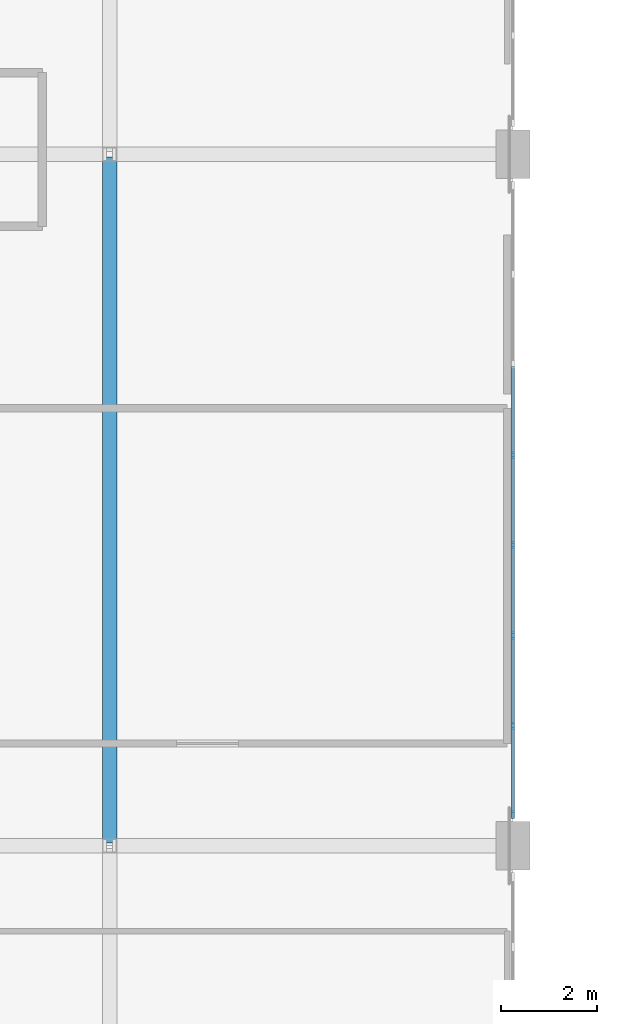
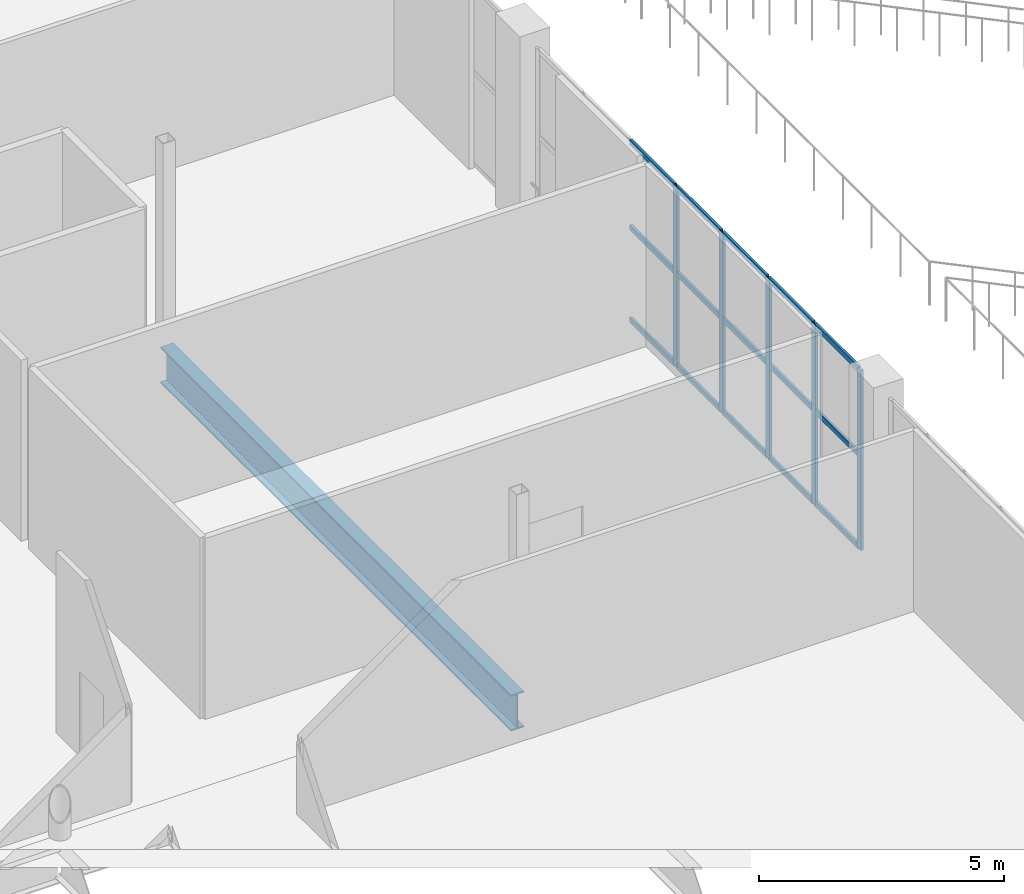
# One storey, part 20 of 104: 20 members, 1 beam, 1 element without a shape of its own.
"""IFC4 building model written with IfcOpenShell, lengths in metres."""

from ifc_helpers import new_model, si_unit, direction, frame, origin, origin_2d, place, context, subcontext, project, spatial, rectangle, i_section, extrude, material, material_profile, profile_set, type_object, element, aggregate, save


model = new_model("IFC4")

# Units and contexts
model_context = context("Model", 3, precision=1e-05, world=origin(), true_north=direction((0.0, 1.0)))
body_context = subcontext(model_context, "Body", "Model", "MODEL_VIEW")
ifc_project = project(units=[si_unit("LENGTHUNIT", "METRE"), si_unit("AREAUNIT", "SQUARE_METRE"), si_unit("VOLUMEUNIT", "CUBIC_METRE"), si_unit("PLANEANGLEUNIT", "RADIAN"), si_unit("MASSUNIT", "GRAM", prefix="KILO")], contexts=[model_context])

# Site, building, storey
site_placement = place(None, origin())
site = spatial("IfcSite", under=ifc_project, at=site_placement, CompositionType="ELEMENT")
building_placement = place(site_placement, origin())
building = spatial("IfcBuilding", under=site, at=building_placement, Name="Koshinbarg Plaza Stadium", CompositionType="ELEMENT")
storey_placement = place(building_placement, frame((0.0, 0.0, 19.800048828125)))
storey = spatial("IfcBuildingStorey", under=building, at=storey_placement, Name="L04", CompositionType="ELEMENT", Elevation=19.800048828125)

# Beam
ifc_material_1 = material(Name="Steel S355", Category="steel")
ifc_material_profile_1 = material_profile(ifc_material_1, i_section(OverallWidth=0.300048828125, OverallDepth=0.89990234375, WebThickness=0.0185546875, FlangeThickness=0.034912109375, at=origin_2d()), Name="HEB 900")
ifc_profile_set_1 = profile_set([ifc_material_profile_1], Name="Steel S355")
beam_type = type_object("IfcBeamType", Name="BM-SGIR-05", PredefinedType="USERDEFINED", material=ifc_profile_set_1)
beam_placement = place(storey_placement, frame((46.199951171875, 54.360107421875, -0.75), z_axis=(0.0, 1.0, 0.0), x_axis=(-1.0, 0.0, 0.0)))
element("IfcBeam", 1, at=beam_placement, inside=storey, type_object=beam_type, Name="L04 Y girder 7/H-J", ObjectType="GIRDER", PredefinedType="USERDEFINED", context=body_context, shape_type="SweptSolid", body=[
    extrude(i_section(OverallWidth=0.300048828125, OverallDepth=0.89990234375, WebThickness=0.0185546875, FlangeThickness=0.034912109375, at=origin_2d()), origin(), (0.0, 0.0, 1.0), 14.27978515625),
])

# Curtain wall, members
ifc_material_2 = material(Name="Thermally broken anodised aluminium and low-E double glazing", Category="aluminium")
curtain_wall_type = type_object("IfcCurtainWallType", Name="CW-SYS-06", PredefinedType="NOTDEFINED", material=ifc_material_2)
curtain_wall_placement = place(storey_placement, origin())
curtain_wall = element("IfcCurtainWall", 2, at=curtain_wall_placement, inside=storey, type_object=curtain_wall_type, Name="L04 unitised curtain wall CW-L04-117", PredefinedType="NOTDEFINED")
ifc_material_3 = material(Name="Anodised aluminium mullion", Category="aluminium")
ifc_material_profile_2 = material_profile(ifc_material_3, rectangle(XDim=0.06005859375, YDim=0.159912109375, at=origin_2d()), Name="ALU 60x160")
ifc_profile_set_2 = profile_set([ifc_material_profile_2], Name="Anodised aluminium mullion")
member_type_1 = type_object("IfcMemberType", Name="CW-MUL-02", PredefinedType="MULLION", material=ifc_profile_set_2)
member_1_placement = place(storey_placement, frame((54.60009765625, 62.43994140625, 0.0), z_axis=(0.0, 0.0, 1.0), x_axis=(1.0, 0.0, 0.0)))
member_1 = element("IfcMember", 3, at=member_1_placement, type_object=member_type_1, Name="CW06 mullion 4", PredefinedType="MULLION", context=body_context, shape_type="SweptSolid", body=[
    extrude(rectangle(XDim=0.06005859375, YDim=0.159912109375, at=origin_2d()), origin(), (0.0, 0.0, 1.0), 4.47998046875),
])
member_2_placement = place(storey_placement, frame((54.60009765625, 60.56005859375, 0.0), z_axis=(0.0, 0.0, 1.0), x_axis=(1.0, 0.0, 0.0)))
member_2 = element("IfcMember", 4, at=member_2_placement, type_object=member_type_1, Name="CW06 mullion 5", PredefinedType="MULLION", context=body_context, shape_type="SweptSolid", body=[
    extrude(rectangle(XDim=0.06005859375, YDim=0.159912109375, at=origin_2d()), origin(), (0.0, 0.0, 1.0), 4.47998046875),
])
member_3_placement = place(storey_placement, frame((54.60009765625, 58.679931640625, 0.0), z_axis=(0.0, 0.0, 1.0), x_axis=(1.0, 0.0, 0.0)))
member_3 = element("IfcMember", 5, at=member_3_placement, type_object=member_type_1, Name="CW06 mullion 6", PredefinedType="MULLION", context=body_context, shape_type="SweptSolid", body=[
    extrude(rectangle(XDim=0.06005859375, YDim=0.159912109375, at=origin_2d()), origin(), (0.0, 0.0, 1.0), 4.47998046875),
])
member_4_placement = place(storey_placement, frame((54.60009765625, 56.800048828125, 0.0), z_axis=(0.0, 0.0, 1.0), x_axis=(1.0, 0.0, 0.0)))
member_4 = element("IfcMember", 6, at=member_4_placement, type_object=member_type_1, Name="CW06 mullion 7", PredefinedType="MULLION", context=body_context, shape_type="SweptSolid", body=[
    extrude(rectangle(XDim=0.06005859375, YDim=0.159912109375, at=origin_2d()), origin(), (0.0, 0.0, 1.0), 4.47998046875),
])
member_5_placement = place(storey_placement, frame((54.60009765625, 54.949951171875, 0.0), z_axis=(0.0, 0.0, 1.0), x_axis=(1.0, 0.0, 0.0)))
member_5 = element("IfcMember", 7, at=member_5_placement, type_object=member_type_1, Name="CW06 mullion 8", PredefinedType="MULLION", context=body_context, shape_type="SweptSolid", body=[
    extrude(rectangle(XDim=0.06005859375, YDim=0.159912109375, at=origin_2d()), origin(), (0.0, 0.0, 1.0), 4.47998046875),
])
ifc_material_4 = material(Name="Anodised aluminium transom", Category="aluminium")
ifc_material_profile_3 = material_profile(ifc_material_4, rectangle(XDim=0.06005859375, YDim=0.1298828125, at=origin_2d()), Name="ALU 60x130")
ifc_profile_set_3 = profile_set([ifc_material_profile_3], Name="Anodised aluminium transom")
member_type_2 = type_object("IfcMemberType", Name="CW-TRN-02", PredefinedType="USERDEFINED", material=ifc_profile_set_3)
member_6_placement = place(storey_placement, frame((54.60009765625, 64.2900390625, 0.030029296875), z_axis=(0.0, -1.0, 0.0), x_axis=(1.0, 0.0, 0.0)))
member_6 = element("IfcMember", 8, at=member_6_placement, type_object=member_type_2, Name="CW06 transom 3.1", ObjectType="TRANSOM", PredefinedType="USERDEFINED", context=body_context, shape_type="SweptSolid", body=[
    extrude(rectangle(XDim=0.06005859375, YDim=0.1298828125, at=origin_2d()), origin(), (0.0, 0.0, 1.0), 1.820068359375),
])
member_7_placement = place(storey_placement, frame((54.60009765625, 64.2900390625, 2.32958984375), z_axis=(0.0, -1.0, 0.0), x_axis=(1.0, 0.0, 0.0)))
member_7 = element("IfcMember", 9, at=member_7_placement, type_object=member_type_2, Name="CW06 transom 3.2", ObjectType="TRANSOM", PredefinedType="USERDEFINED", context=body_context, shape_type="SweptSolid", body=[
    extrude(rectangle(XDim=0.06005859375, YDim=0.1298828125, at=origin_2d()), origin(), (0.0, 0.0, 1.0), 1.820068359375),
])
member_8_placement = place(storey_placement, frame((54.60009765625, 64.2900390625, 4.449951171875), z_axis=(0.0, -1.0, 0.0), x_axis=(1.0, 0.0, 0.0)))
member_8 = element("IfcMember", 10, at=member_8_placement, type_object=member_type_2, Name="CW06 transom 3.3", ObjectType="TRANSOM", PredefinedType="USERDEFINED", context=body_context, shape_type="SweptSolid", body=[
    extrude(rectangle(XDim=0.06005859375, YDim=0.1298828125, at=origin_2d()), origin(), (0.0, 0.0, 1.0), 1.820068359375),
])
member_9_placement = place(storey_placement, frame((54.60009765625, 62.409912109375, 0.030029296875), z_axis=(0.0, -1.0, 0.0), x_axis=(1.0, 0.0, 0.0)))
member_9 = element("IfcMember", 11, at=member_9_placement, type_object=member_type_2, Name="CW06 transom 4.1", ObjectType="TRANSOM", PredefinedType="USERDEFINED", context=body_context, shape_type="SweptSolid", body=[
    extrude(rectangle(XDim=0.06005859375, YDim=0.1298828125, at=origin_2d()), origin(), (0.0, 0.0, 1.0), 1.81982421875),
])
member_10_placement = place(storey_placement, frame((54.60009765625, 62.409912109375, 2.32958984375), z_axis=(0.0, -1.0, 0.0), x_axis=(1.0, 0.0, 0.0)))
member_10 = element("IfcMember", 12, at=member_10_placement, type_object=member_type_2, Name="CW06 transom 4.2", ObjectType="TRANSOM", PredefinedType="USERDEFINED", context=body_context, shape_type="SweptSolid", body=[
    extrude(rectangle(XDim=0.06005859375, YDim=0.1298828125, at=origin_2d()), origin(), (0.0, 0.0, 1.0), 1.81982421875),
])
member_11_placement = place(storey_placement, frame((54.60009765625, 62.409912109375, 4.449951171875), z_axis=(0.0, -1.0, 0.0), x_axis=(1.0, 0.0, 0.0)))
member_11 = element("IfcMember", 13, at=member_11_placement, type_object=member_type_2, Name="CW06 transom 4.3", ObjectType="TRANSOM", PredefinedType="USERDEFINED", context=body_context, shape_type="SweptSolid", body=[
    extrude(rectangle(XDim=0.06005859375, YDim=0.1298828125, at=origin_2d()), origin(), (0.0, 0.0, 1.0), 1.81982421875),
])
member_12_placement = place(storey_placement, frame((54.60009765625, 60.530029296875, 0.030029296875), z_axis=(0.0, -1.0, 0.0), x_axis=(1.0, 0.0, 0.0)))
member_12 = element("IfcMember", 14, at=member_12_placement, type_object=member_type_2, Name="CW06 transom 5.1", ObjectType="TRANSOM", PredefinedType="USERDEFINED", context=body_context, shape_type="SweptSolid", body=[
    extrude(rectangle(XDim=0.06005859375, YDim=0.1298828125, at=origin_2d()), origin(), (0.0, 0.0, 1.0), 1.820068359375),
])
member_13_placement = place(storey_placement, frame((54.60009765625, 60.530029296875, 2.32958984375), z_axis=(0.0, -1.0, 0.0), x_axis=(1.0, 0.0, 0.0)))
member_13 = element("IfcMember", 15, at=member_13_placement, type_object=member_type_2, Name="CW06 transom 5.2", ObjectType="TRANSOM", PredefinedType="USERDEFINED", context=body_context, shape_type="SweptSolid", body=[
    extrude(rectangle(XDim=0.06005859375, YDim=0.1298828125, at=origin_2d()), origin(), (0.0, 0.0, 1.0), 1.820068359375),
])
member_14_placement = place(storey_placement, frame((54.60009765625, 60.530029296875, 4.449951171875), z_axis=(0.0, -1.0, 0.0), x_axis=(1.0, 0.0, 0.0)))
member_14 = element("IfcMember", 16, at=member_14_placement, type_object=member_type_2, Name="CW06 transom 5.3", ObjectType="TRANSOM", PredefinedType="USERDEFINED", context=body_context, shape_type="SweptSolid", body=[
    extrude(rectangle(XDim=0.06005859375, YDim=0.1298828125, at=origin_2d()), origin(), (0.0, 0.0, 1.0), 1.820068359375),
])
member_15_placement = place(storey_placement, frame((54.60009765625, 58.64990234375, 0.030029296875), z_axis=(0.0, -1.0, 0.0), x_axis=(1.0, 0.0, 0.0)))
member_15 = element("IfcMember", 17, at=member_15_placement, type_object=member_type_2, Name="CW06 transom 6.1", ObjectType="TRANSOM", PredefinedType="USERDEFINED", context=body_context, shape_type="SweptSolid", body=[
    extrude(rectangle(XDim=0.06005859375, YDim=0.1298828125, at=origin_2d()), origin(), (0.0, 0.0, 1.0), 1.81982421875),
])
member_16_placement = place(storey_placement, frame((54.60009765625, 58.64990234375, 2.32958984375), z_axis=(0.0, -1.0, 0.0), x_axis=(1.0, 0.0, 0.0)))
member_16 = element("IfcMember", 18, at=member_16_placement, type_object=member_type_2, Name="CW06 transom 6.2", ObjectType="TRANSOM", PredefinedType="USERDEFINED", context=body_context, shape_type="SweptSolid", body=[
    extrude(rectangle(XDim=0.06005859375, YDim=0.1298828125, at=origin_2d()), origin(), (0.0, 0.0, 1.0), 1.81982421875),
])
member_17_placement = place(storey_placement, frame((54.60009765625, 58.64990234375, 4.449951171875), z_axis=(0.0, -1.0, 0.0), x_axis=(1.0, 0.0, 0.0)))
member_17 = element("IfcMember", 19, at=member_17_placement, type_object=member_type_2, Name="CW06 transom 6.3", ObjectType="TRANSOM", PredefinedType="USERDEFINED", context=body_context, shape_type="SweptSolid", body=[
    extrude(rectangle(XDim=0.06005859375, YDim=0.1298828125, at=origin_2d()), origin(), (0.0, 0.0, 1.0), 1.81982421875),
])
member_18_placement = place(storey_placement, frame((54.60009765625, 56.77001953125, 0.030029296875), z_axis=(0.0, -1.0, 0.0), x_axis=(1.0, 0.0, 0.0)))
member_18 = element("IfcMember", 20, at=member_18_placement, type_object=member_type_2, Name="CW06 transom 7.1", ObjectType="TRANSOM", PredefinedType="USERDEFINED", context=body_context, shape_type="SweptSolid", body=[
    extrude(rectangle(XDim=0.06005859375, YDim=0.1298828125, at=origin_2d()), origin(), (0.0, 0.0, 1.0), 1.7900390625),
])
member_19_placement = place(storey_placement, frame((54.60009765625, 56.77001953125, 2.32958984375), z_axis=(0.0, -1.0, 0.0), x_axis=(1.0, 0.0, 0.0)))
member_19 = element("IfcMember", 21, at=member_19_placement, type_object=member_type_2, Name="CW06 transom 7.2", ObjectType="TRANSOM", PredefinedType="USERDEFINED", context=body_context, shape_type="SweptSolid", body=[
    extrude(rectangle(XDim=0.06005859375, YDim=0.1298828125, at=origin_2d()), origin(), (0.0, 0.0, 1.0), 1.7900390625),
])
member_20_placement = place(storey_placement, frame((54.60009765625, 56.77001953125, 4.449951171875), z_axis=(0.0, -1.0, 0.0), x_axis=(1.0, 0.0, 0.0)))
member_20 = element("IfcMember", 22, at=member_20_placement, type_object=member_type_2, Name="CW06 transom 7.3", ObjectType="TRANSOM", PredefinedType="USERDEFINED", context=body_context, shape_type="SweptSolid", body=[
    extrude(rectangle(XDim=0.06005859375, YDim=0.1298828125, at=origin_2d()), origin(), (0.0, 0.0, 1.0), 1.7900390625),
])
aggregate(curtain_wall, [member_1, member_2, member_3, member_4, member_5, member_6, member_7, member_8, member_9, member_10, member_11, member_12, member_13, member_14, member_15, member_16, member_17, member_18, member_19, member_20])

save(model, "model.ifc")
